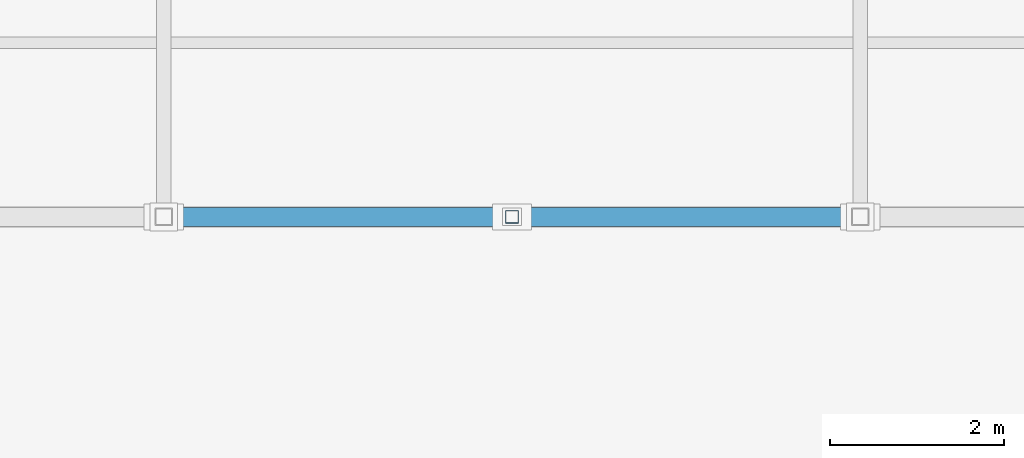
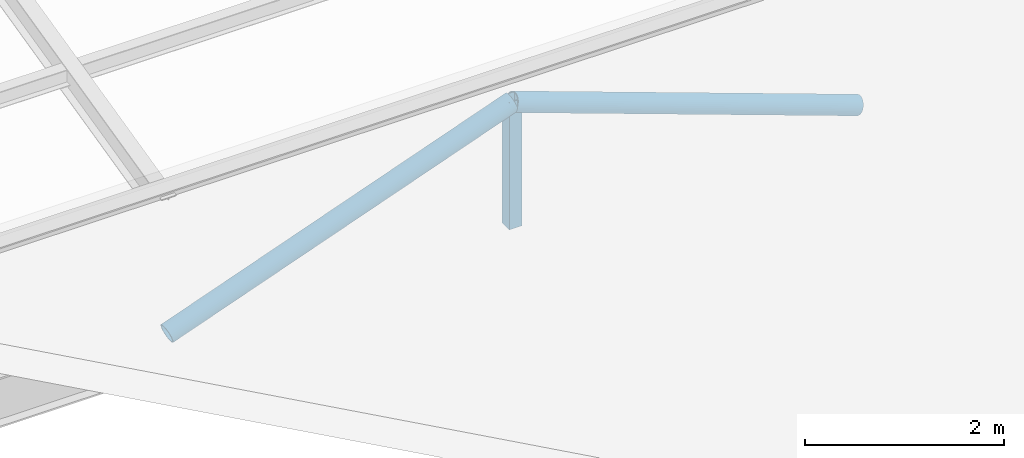
# One storey, part 38 of 112: 3 members.
"""IFC4 building model written with IfcOpenShell, lengths in metres."""

from ifc_helpers import new_model, si_unit, direction, frame, origin, origin_2d, place, context, subcontext, project, spatial, hollow_rectangle, hollow_circle, extrude, material, material_profile, profile_set, type_object, element, save


model = new_model("IFC4")

# Units and contexts
model_context = context("Model", 3, precision=1e-05, world=origin(), true_north=direction((0.0, 1.0)))
body_context = subcontext(model_context, "Body", "Model", "MODEL_VIEW")
ifc_project = project(units=[si_unit("LENGTHUNIT", "METRE"), si_unit("AREAUNIT", "SQUARE_METRE"), si_unit("VOLUMEUNIT", "CUBIC_METRE"), si_unit("PLANEANGLEUNIT", "RADIAN"), si_unit("MASSUNIT", "GRAM", prefix="KILO")], contexts=[model_context])

# Site, building, storey
site_placement = place(None, origin())
site = spatial("IfcSite", under=ifc_project, at=site_placement, CompositionType="ELEMENT")
building_placement = place(site_placement, origin())
building = spatial("IfcBuilding", under=site, at=building_placement, Name="Celadon Cloister-Ring School", CompositionType="ELEMENT")
storey_placement = place(building_placement, frame((0.0, 0.0, 8.5)))
storey = spatial("IfcBuildingStorey", under=building, at=storey_placement, Name="L02", CompositionType="ELEMENT", Elevation=8.5)

# Members
ifc_material_1 = material(Name="Structural steel S355JR", Category="steel")
ifc_material_profile_1 = material_profile(ifc_material_1, hollow_rectangle(XDim=0.14990234375, YDim=0.14990234375, WallThickness=0.008056640625, at=origin_2d()), Name="HSS150X150X8")
ifc_profile_set_1 = profile_set([ifc_material_profile_1], Name="Structural steel S355JR")
member_type_1 = type_object("IfcMemberType", Name="MB-05", PredefinedType="BRACE", material=ifc_profile_set_1)
member_placement = place(storey_placement, frame((154.0, 74.0, 0.919921875), z_axis=(0.0, 0.0, 1.0), x_axis=(1.0, 0.0, 0.0)))
element("IfcMember", 1, at=member_placement, inside=storey, type_object=member_type_1, Name="Structural Member 0400", PredefinedType="BRACE", context=body_context, shape_type="SweptSolid", body=[
    extrude(hollow_rectangle(XDim=0.14990234375, YDim=0.14990234375, WallThickness=0.008056640625, at=origin_2d()), origin(), (0.0, 0.0, 1.0), 1.56005859375),
])
ifc_material_2 = material(Name="Structural steel S355JR", Category="steel")
ifc_material_profile_2 = material_profile(ifc_material_2, hollow_circle(Radius=0.109619140625, WallThickness=0.010009765625, at=origin_2d()), Name="CHS219.1X10")
ifc_profile_set_2 = profile_set([ifc_material_profile_2], Name="Structural steel S355JR")
member_type_2 = type_object("IfcMemberType", Name="MB-08", PredefinedType="BRACE", material=ifc_profile_set_2)
for number, where, z_axis, x_axis, name in (
    (2, (150.0, 74.0, 0.97998046875), (0.94089180426, 0.0, 0.338707266939), (0.0, 1.0, 0.0), "Structural Member 0406"),
    (3, (154.0, 74.0, 2.419921875), (0.94089180426, 0.0, -0.338707266939), (0.0, 1.0, 0.0), "Structural Member 0407"),
):
    element("IfcMember", number, at=place(storey_placement, frame(where, z_axis=z_axis, x_axis=x_axis)), inside=storey, type_object=member_type_2, Name=name, PredefinedType="BRACE", context=body_context, shape_type="SweptSolid", body=[
        extrude(hollow_circle(Radius=0.109619140625, WallThickness=0.010009765625, at=origin_2d()), origin(), (0.0, 0.0, 1.0), 4.251220703125),
    ])

save(model, "model.ifc")
